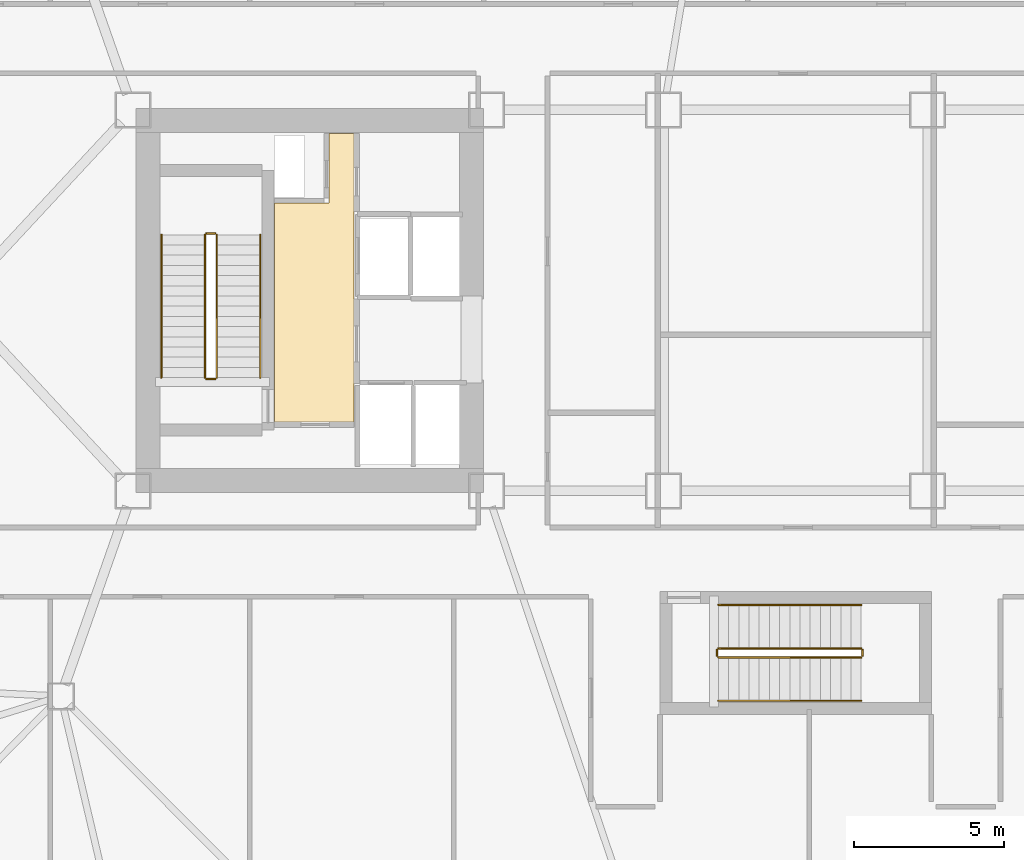
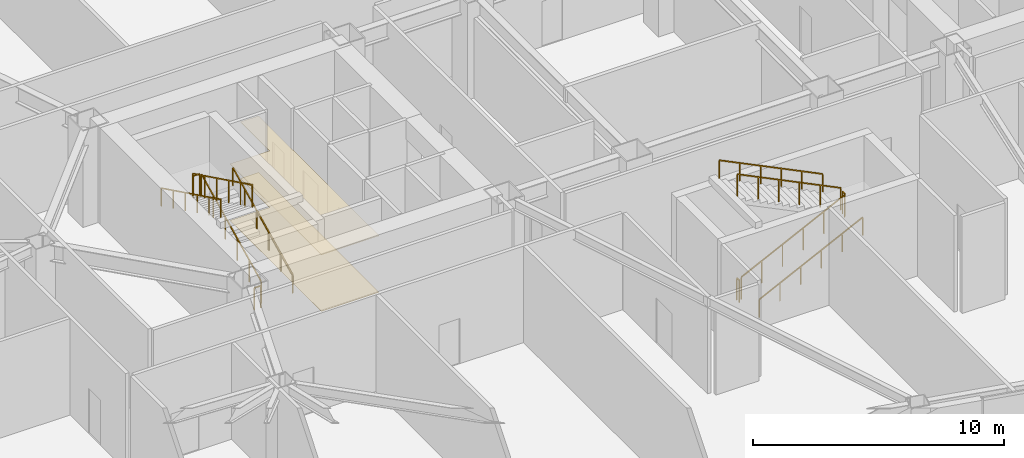
# One storey, part 19 of 20: 12 railings, 2 coverings.
"""IFC4 building model written with IfcOpenShell, lengths in metres."""

from ifc_helpers import new_model, si_unit, direction, frame, origin, origin_2d, place, context, subcontext, project, spatial, polyline, rectangle, outline, extrude, material, layer, layer_set, type_object, element, save


model = new_model("IFC4")

# Units and contexts
model_context = context("Model", 3, precision=1e-05, world=origin(), true_north=direction((0.0, 1.0)))
body_context = subcontext(model_context, "Body", "Model", "MODEL_VIEW")
ifc_project = project(units=[si_unit("LENGTHUNIT", "METRE"), si_unit("AREAUNIT", "SQUARE_METRE"), si_unit("VOLUMEUNIT", "CUBIC_METRE"), si_unit("PLANEANGLEUNIT", "RADIAN"), si_unit("MASSUNIT", "GRAM", prefix="KILO")], contexts=[model_context])

# Site, building, storey
site_placement = place(None, origin())
site = spatial("IfcSite", under=ifc_project, at=site_placement, CompositionType="ELEMENT")
building_placement = place(site_placement, origin())
building = spatial("IfcBuilding", under=site, at=building_placement, Name="Tavrogorsk Clinical Tower", CompositionType="ELEMENT")
storey_placement = place(building_placement, frame((0.0, 0.0, 23.39990234375)))
storey = spatial("IfcBuildingStorey", under=building, at=storey_placement, Name="L04", CompositionType="ELEMENT", Elevation=23.39990234375)

# Coverings
ifc_material_1 = material(Name="Antibacterial micro-perforated aluminium ceiling", Category="aluminium")
ifc_layer_1 = layer(ifc_material_1, 0.014892578125)
ifc_layer_set_1 = layer_set([ifc_layer_1], Name="Antibacterial micro-perforated aluminium ceiling")
covering_type_1 = type_object("IfcCoveringType", Name="ClinicalCeiling_15", PredefinedType="CEILING", material=ifc_layer_set_1)
covering_1_placement = place(storey_placement, frame((0.0, 0.0, 2.75)))
element("IfcCovering", 1, at=covering_1_placement, inside=storey, type_object=covering_type_1, Name="Core West Firefighting Lift Lobby Acoustic Ceiling", PredefinedType="CEILING", context=body_context, shape_type="SweptSolid", body=[
    extrude(outline(polyline([(-14.719970703125, 5.56005859375), (-14.719970703125, -4.06005859375), (-17.3798828125, -4.06005859375), (-17.3798828125, 3.239990234375), (-15.56005859375, 3.239990234375), (-15.56005859375, 5.56005859375), (-14.719970703125, 5.56005859375)])), origin(), (0.0, 0.0, 1.0), 0.01513671875),
])
ifc_material_2 = material(Name="Homogeneous medical conductive PVC flooring")
ifc_layer_2 = layer(ifc_material_2, 0.008056640625)
ifc_layer_set_2 = layer_set([ifc_layer_2], Name="Homogeneous medical conductive PVC flooring")
covering_type_2 = type_object("IfcCoveringType", Name="ResilientVinylFloor_8", PredefinedType="FLOORING", material=ifc_layer_set_2)
covering_2_placement = place(storey_placement, origin())
element("IfcCovering", 2, at=covering_2_placement, inside=storey, type_object=covering_type_2, Name="Core West Firefighting Lift Lobby Conductive Vinyl Flooring", PredefinedType="FLOORING", context=body_context, shape_type="SweptSolid", body=[
    extrude(outline(polyline([(-14.719970703125, 5.56005859375), (-14.719970703125, -4.06005859375), (-17.3798828125, -4.06005859375), (-17.3798828125, 3.239990234375), (-15.56005859375, 3.239990234375), (-15.56005859375, 5.56005859375), (-14.719970703125, 5.56005859375)])), origin(), (0.0, 0.0, 1.0), 0.008056640625),
])

# Railings
ifc_material_3 = material(Name="Galvanised steel S355 safety stairwell guard", Category="steel")
ifc_layer_3 = layer(ifc_material_3, 0.06005859375)
ifc_layer_set_3 = layer_set([ifc_layer_3], Name="Galvanised steel S355 safety stairwell guard")
railing_type_1 = type_object("IfcRailingType", Name="StairGuard_1150", PredefinedType="GUARDRAIL", material=ifc_layer_set_3)
railing_1_placement = place(storey_placement, frame((-19.300048828125, -2.574951171875, 0.166748046875)))
element("IfcRailing", 3, at=railing_1_placement, inside=storey, type_object=railing_type_1, Name="L04 ST-W stair guard 1", PredefinedType="GUARDRAIL", context=body_context, shape_type="SweptSolid", body=[
    extrude(rectangle(XDim=0.048095703125, YDim=0.048095703125, at=origin_2d()), frame((0.0, 0.0, 1.076171875), z_axis=(0.0, 0.897927146867, 0.440144111535), x_axis=(-1.0, 0.0, 0.0)), (0.0, 0.0, 1.0), 5.301025390625),
    extrude(rectangle(XDim=0.0419921875, YDim=0.0419921875, at=origin_2d()), origin(), (0.0, 0.0, 1.0), 1.052001953125),
    extrude(rectangle(XDim=0.0419921875, YDim=0.0419921875, at=origin_2d()), frame((0.0, 0.951904296875, 0.466552734375)), (0.0, 0.0, 1.0), 1.052001953125),
    extrude(rectangle(XDim=0.0419921875, YDim=0.0419921875, at=origin_2d()), frame((0.0, 1.904052734375, 0.933349609375)), (0.0, 0.0, 1.0), 1.052001953125),
    extrude(rectangle(XDim=0.0419921875, YDim=0.0419921875, at=origin_2d()), frame((0.0, 2.85595703125, 1.39990234375)), (0.0, 0.0, 1.0), 1.052001953125),
    extrude(rectangle(XDim=0.0419921875, YDim=0.0419921875, at=origin_2d()), frame((0.0, 3.80810546875, 1.86669921875)), (0.0, 0.0, 1.0), 1.052001953125),
    extrude(rectangle(XDim=0.0419921875, YDim=0.0419921875, at=origin_2d()), frame((0.0, 4.760009765625, 2.333251953125)), (0.0, 0.0, 1.0), 1.052001953125),
])
railing_2_placement = place(storey_placement, frame((-19.35009765625, 2.235107421875, 2.5)))
element("IfcRailing", 4, at=railing_2_placement, inside=storey, type_object=railing_type_1, Name="L04 ST-W stair guard 2", PredefinedType="GUARDRAIL", context=body_context, shape_type="SweptSolid", body=[
    extrude(rectangle(XDim=0.048095703125, YDim=0.048095703125, at=origin_2d()), frame((0.0, 0.0, 1.076171875), z_axis=(-1.0, 0.0, 0.0), x_axis=(0.0, -1.0, 0.0)), (0.0, 0.0, 1.0), 0.2998046875),
    extrude(rectangle(XDim=0.0419921875, YDim=0.0419921875, at=origin_2d()), origin(), (0.0, 0.0, 1.0), 1.052001953125),
    extrude(rectangle(XDim=0.0419921875, YDim=0.0419921875, at=origin_2d()), frame((-0.2998046875, 0.0, 0.0)), (0.0, 0.0, 1.0), 1.052001953125),
])
railing_3_placement = place(storey_placement, frame((-19.699951171875, 2.18505859375, 2.666748046875)))
element("IfcRailing", 5, at=railing_3_placement, inside=storey, type_object=railing_type_1, Name="L04 ST-W stair guard 3", PredefinedType="GUARDRAIL", context=body_context, shape_type="SweptSolid", body=[
    extrude(rectangle(XDim=0.048095703125, YDim=0.048095703125, at=origin_2d()), frame((0.0, 0.0, 1.076171875), z_axis=(0.0, -0.897927146867, 0.440144111535), x_axis=(1.0, 0.0, 0.0)), (0.0, 0.0, 1.0), 5.301025390625),
    extrude(rectangle(XDim=0.0419921875, YDim=0.0419921875, at=origin_2d()), origin(), (0.0, 0.0, 1.0), 1.052001953125),
    extrude(rectangle(XDim=0.0419921875, YDim=0.0419921875, at=origin_2d()), frame((0.0, -0.951904296875, 0.466552734375)), (0.0, 0.0, 1.0), 1.052001953125),
    extrude(rectangle(XDim=0.0419921875, YDim=0.0419921875, at=origin_2d()), frame((0.0, -1.904052734375, 0.933349609375)), (0.0, 0.0, 1.0), 1.052001953125),
    extrude(rectangle(XDim=0.0419921875, YDim=0.0419921875, at=origin_2d()), frame((0.0, -2.85595703125, 1.39990234375)), (0.0, 0.0, 1.0), 1.052001953125),
    extrude(rectangle(XDim=0.0419921875, YDim=0.0419921875, at=origin_2d()), frame((0.0, -3.80810546875, 1.86669921875)), (0.0, 0.0, 1.0), 1.052001953125),
    extrude(rectangle(XDim=0.0419921875, YDim=0.0419921875, at=origin_2d()), frame((0.0, -4.760009765625, 2.333251953125)), (0.0, 0.0, 1.0), 1.052001953125),
])
railing_4_placement = place(storey_placement, frame((-19.35009765625, -2.625, 0.0)))
element("IfcRailing", 6, at=railing_4_placement, inside=storey, type_object=railing_type_1, Name="L04 ST-W stair guard 4", PredefinedType="GUARDRAIL", context=body_context, shape_type="SweptSolid", body=[
    extrude(rectangle(XDim=0.048095703125, YDim=0.048095703125, at=origin_2d()), frame((0.0, 0.0, 1.076171875), z_axis=(-1.0, 0.0, 0.0), x_axis=(0.0, -1.0, 0.0)), (0.0, 0.0, 1.0), 0.2998046875),
    extrude(rectangle(XDim=0.0419921875, YDim=0.0419921875, at=origin_2d()), origin(), (0.0, 0.0, 1.0), 1.052001953125),
    extrude(rectangle(XDim=0.0419921875, YDim=0.0419921875, at=origin_2d()), frame((-0.2998046875, 0.0, 0.0)), (0.0, 0.0, 1.0), 1.052001953125),
])
railing_5_placement = place(storey_placement, frame((-2.574951171875, -11.89990234375, 0.166748046875)))
element("IfcRailing", 7, at=railing_5_placement, inside=storey, type_object=railing_type_1, Name="L04 ST-P stair guard 1", PredefinedType="GUARDRAIL", context=body_context, shape_type="SweptSolid", body=[
    extrude(rectangle(XDim=0.048095703125, YDim=0.048095703125, at=origin_2d()), frame((0.0, 0.0, 1.076171875), z_axis=(0.897927146867, 0.0, 0.440144111535), x_axis=(0.0, 1.0, 0.0)), (0.0, 0.0, 1.0), 5.301025390625),
    extrude(rectangle(XDim=0.0419921875, YDim=0.0419921875, at=origin_2d()), origin(), (0.0, 0.0, 1.0), 1.052001953125),
    extrude(rectangle(XDim=0.0419921875, YDim=0.0419921875, at=origin_2d()), frame((0.951904296875, 0.0, 0.466552734375)), (0.0, 0.0, 1.0), 1.052001953125),
    extrude(rectangle(XDim=0.0419921875, YDim=0.0419921875, at=origin_2d()), frame((1.904052734375, 0.0, 0.933349609375)), (0.0, 0.0, 1.0), 1.052001953125),
    extrude(rectangle(XDim=0.0419921875, YDim=0.0419921875, at=origin_2d()), frame((2.85595703125, 0.0, 1.39990234375)), (0.0, 0.0, 1.0), 1.052001953125),
    extrude(rectangle(XDim=0.0419921875, YDim=0.0419921875, at=origin_2d()), frame((3.80810546875, 0.0, 1.86669921875)), (0.0, 0.0, 1.0), 1.052001953125),
    extrude(rectangle(XDim=0.0419921875, YDim=0.0419921875, at=origin_2d()), frame((4.760009765625, 0.0, 2.333251953125)), (0.0, 0.0, 1.0), 1.052001953125),
])
railing_6_placement = place(storey_placement, frame((2.235107421875, -11.85009765625, 2.5)))
element("IfcRailing", 8, at=railing_6_placement, inside=storey, type_object=railing_type_1, Name="L04 ST-P stair guard 2", PredefinedType="GUARDRAIL", context=body_context, shape_type="SweptSolid", body=[
    extrude(rectangle(XDim=0.048095703125, YDim=0.048095703125, at=origin_2d()), frame((0.0, 0.0, 1.076171875), z_axis=(0.0, 1.0, 0.0), x_axis=(-1.0, 0.0, 0.0)), (0.0, 0.0, 1.0), 0.2001953125),
    extrude(rectangle(XDim=0.0419921875, YDim=0.0419921875, at=origin_2d()), origin(), (0.0, 0.0, 1.0), 1.052001953125),
    extrude(rectangle(XDim=0.0419921875, YDim=0.0419921875, at=origin_2d()), frame((0.0, 0.2001953125, 0.0)), (0.0, 0.0, 1.0), 1.052001953125),
])
railing_7_placement = place(storey_placement, frame((2.18505859375, -11.60009765625, 2.666748046875)))
element("IfcRailing", 9, at=railing_7_placement, inside=storey, type_object=railing_type_1, Name="L04 ST-P stair guard 3", PredefinedType="GUARDRAIL", context=body_context, shape_type="SweptSolid", body=[
    extrude(rectangle(XDim=0.048095703125, YDim=0.048095703125, at=origin_2d()), frame((0.0, 0.0, 1.076171875), z_axis=(-0.897927146867, 0.0, 0.440144111535), x_axis=(0.0, -1.0, 0.0)), (0.0, 0.0, 1.0), 5.301025390625),
    extrude(rectangle(XDim=0.0419921875, YDim=0.0419921875, at=origin_2d()), origin(), (0.0, 0.0, 1.0), 1.052001953125),
    extrude(rectangle(XDim=0.0419921875, YDim=0.0419921875, at=origin_2d()), frame((-0.951904296875, 0.0, 0.466552734375)), (0.0, 0.0, 1.0), 1.052001953125),
    extrude(rectangle(XDim=0.0419921875, YDim=0.0419921875, at=origin_2d()), frame((-1.904052734375, 0.0, 0.933349609375)), (0.0, 0.0, 1.0), 1.052001953125),
    extrude(rectangle(XDim=0.0419921875, YDim=0.0419921875, at=origin_2d()), frame((-2.85595703125, 0.0, 1.39990234375)), (0.0, 0.0, 1.0), 1.052001953125),
    extrude(rectangle(XDim=0.0419921875, YDim=0.0419921875, at=origin_2d()), frame((-3.80810546875, 0.0, 1.86669921875)), (0.0, 0.0, 1.0), 1.052001953125),
    extrude(rectangle(XDim=0.0419921875, YDim=0.0419921875, at=origin_2d()), frame((-4.760009765625, 0.0, 2.333251953125)), (0.0, 0.0, 1.0), 1.052001953125),
])
railing_8_placement = place(storey_placement, frame((-2.625, -11.85009765625, 0.0)))
element("IfcRailing", 10, at=railing_8_placement, inside=storey, type_object=railing_type_1, Name="L04 ST-P stair guard 4", PredefinedType="GUARDRAIL", context=body_context, shape_type="SweptSolid", body=[
    extrude(rectangle(XDim=0.048095703125, YDim=0.048095703125, at=origin_2d()), frame((0.0, 0.0, 1.076171875), z_axis=(0.0, 1.0, 0.0), x_axis=(-1.0, 0.0, 0.0)), (0.0, 0.0, 1.0), 0.2001953125),
    extrude(rectangle(XDim=0.0419921875, YDim=0.0419921875, at=origin_2d()), origin(), (0.0, 0.0, 1.0), 1.052001953125),
    extrude(rectangle(XDim=0.0419921875, YDim=0.0419921875, at=origin_2d()), frame((0.0, 0.2001953125, 0.0)), (0.0, 0.0, 1.0), 1.052001953125),
])
ifc_material_4 = material(Name="Stainless steel AISI 304 tubular handrail", Category="steel")
ifc_layer_4 = layer(ifc_material_4, 0.050048828125)
ifc_layer_set_4 = layer_set([ifc_layer_4], Name="Stainless steel AISI 304 tubular handrail")
railing_type_2 = type_object("IfcRailingType", Name="StairHandrail_920", PredefinedType="HANDRAIL", material=ifc_layer_set_4)
railing_9_placement = place(storey_placement, frame((-17.85009765625, -2.574951171875, 0.166748046875)))
element("IfcRailing", 11, at=railing_9_placement, inside=storey, type_object=railing_type_2, Name="L04 ST-W stair handrail 1", PredefinedType="HANDRAIL", context=body_context, shape_type="SweptSolid", body=[
    extrude(rectangle(XDim=0.048095703125, YDim=0.048095703125, at=origin_2d()), frame((0.0, 0.0, 0.8759765625), z_axis=(0.0, 0.897927146867, 0.440144111535), x_axis=(-1.0, 0.0, 0.0)), (0.0, 0.0, 1.0), 5.301025390625),
    extrude(rectangle(XDim=0.0419921875, YDim=0.0419921875, at=origin_2d()), origin(), (0.0, 0.0, 1.0), 0.851806640625),
    extrude(rectangle(XDim=0.0419921875, YDim=0.0419921875, at=origin_2d()), frame((0.0, 0.951904296875, 0.466552734375)), (0.0, 0.0, 1.0), 0.851806640625),
    extrude(rectangle(XDim=0.0419921875, YDim=0.0419921875, at=origin_2d()), frame((0.0, 1.904052734375, 0.933349609375)), (0.0, 0.0, 1.0), 0.851806640625),
    extrude(rectangle(XDim=0.0419921875, YDim=0.0419921875, at=origin_2d()), frame((0.0, 2.85595703125, 1.39990234375)), (0.0, 0.0, 1.0), 0.851806640625),
    extrude(rectangle(XDim=0.0419921875, YDim=0.0419921875, at=origin_2d()), frame((0.0, 3.80810546875, 1.86669921875)), (0.0, 0.0, 1.0), 0.851806640625),
    extrude(rectangle(XDim=0.0419921875, YDim=0.0419921875, at=origin_2d()), frame((0.0, 4.760009765625, 2.333251953125)), (0.0, 0.0, 1.0), 0.851806640625),
])
railing_10_placement = place(storey_placement, frame((-21.14990234375, 2.18505859375, 2.666748046875)))
element("IfcRailing", 12, at=railing_10_placement, inside=storey, type_object=railing_type_2, Name="L04 ST-W stair handrail 2", PredefinedType="HANDRAIL", context=body_context, shape_type="SweptSolid", body=[
    extrude(rectangle(XDim=0.048095703125, YDim=0.048095703125, at=origin_2d()), frame((0.0, 0.0, 0.8759765625), z_axis=(0.0, -0.897927146867, 0.440144111535), x_axis=(1.0, 0.0, 0.0)), (0.0, 0.0, 1.0), 5.301025390625),
    extrude(rectangle(XDim=0.0419921875, YDim=0.0419921875, at=origin_2d()), origin(), (0.0, 0.0, 1.0), 0.851806640625),
    extrude(rectangle(XDim=0.0419921875, YDim=0.0419921875, at=origin_2d()), frame((0.0, -0.951904296875, 0.466552734375)), (0.0, 0.0, 1.0), 0.851806640625),
    extrude(rectangle(XDim=0.0419921875, YDim=0.0419921875, at=origin_2d()), frame((0.0, -1.904052734375, 0.933349609375)), (0.0, 0.0, 1.0), 0.851806640625),
    extrude(rectangle(XDim=0.0419921875, YDim=0.0419921875, at=origin_2d()), frame((0.0, -2.85595703125, 1.39990234375)), (0.0, 0.0, 1.0), 0.851806640625),
    extrude(rectangle(XDim=0.0419921875, YDim=0.0419921875, at=origin_2d()), frame((0.0, -3.80810546875, 1.86669921875)), (0.0, 0.0, 1.0), 0.851806640625),
    extrude(rectangle(XDim=0.0419921875, YDim=0.0419921875, at=origin_2d()), frame((0.0, -4.760009765625, 2.333251953125)), (0.0, 0.0, 1.0), 0.851806640625),
])
railing_11_placement = place(storey_placement, frame((-2.574951171875, -13.35009765625, 0.166748046875)))
element("IfcRailing", 13, at=railing_11_placement, inside=storey, type_object=railing_type_2, Name="L04 ST-P stair handrail 1", PredefinedType="HANDRAIL", context=body_context, shape_type="SweptSolid", body=[
    extrude(rectangle(XDim=0.048095703125, YDim=0.048095703125, at=origin_2d()), frame((0.0, 0.0, 0.8759765625), z_axis=(0.897927146867, 0.0, 0.440144111535), x_axis=(0.0, 1.0, 0.0)), (0.0, 0.0, 1.0), 5.301025390625),
    extrude(rectangle(XDim=0.0419921875, YDim=0.0419921875, at=origin_2d()), origin(), (0.0, 0.0, 1.0), 0.851806640625),
    extrude(rectangle(XDim=0.0419921875, YDim=0.0419921875, at=origin_2d()), frame((0.951904296875, 0.0, 0.466552734375)), (0.0, 0.0, 1.0), 0.851806640625),
    extrude(rectangle(XDim=0.0419921875, YDim=0.0419921875, at=origin_2d()), frame((1.904052734375, 0.0, 0.933349609375)), (0.0, 0.0, 1.0), 0.851806640625),
    extrude(rectangle(XDim=0.0419921875, YDim=0.0419921875, at=origin_2d()), frame((2.85595703125, 0.0, 1.39990234375)), (0.0, 0.0, 1.0), 0.851806640625),
    extrude(rectangle(XDim=0.0419921875, YDim=0.0419921875, at=origin_2d()), frame((3.80810546875, 0.0, 1.86669921875)), (0.0, 0.0, 1.0), 0.851806640625),
    extrude(rectangle(XDim=0.0419921875, YDim=0.0419921875, at=origin_2d()), frame((4.760009765625, 0.0, 2.333251953125)), (0.0, 0.0, 1.0), 0.851806640625),
])
railing_12_placement = place(storey_placement, frame((2.18505859375, -10.14990234375, 2.666748046875)))
element("IfcRailing", 14, at=railing_12_placement, inside=storey, type_object=railing_type_2, Name="L04 ST-P stair handrail 2", PredefinedType="HANDRAIL", context=body_context, shape_type="SweptSolid", body=[
    extrude(rectangle(XDim=0.048095703125, YDim=0.048095703125, at=origin_2d()), frame((0.0, 0.0, 0.8759765625), z_axis=(-0.897927146867, 0.0, 0.440144111535), x_axis=(0.0, -1.0, 0.0)), (0.0, 0.0, 1.0), 5.301025390625),
    extrude(rectangle(XDim=0.0419921875, YDim=0.0419921875, at=origin_2d()), origin(), (0.0, 0.0, 1.0), 0.851806640625),
    extrude(rectangle(XDim=0.0419921875, YDim=0.0419921875, at=origin_2d()), frame((-0.951904296875, 0.0, 0.466552734375)), (0.0, 0.0, 1.0), 0.851806640625),
    extrude(rectangle(XDim=0.0419921875, YDim=0.0419921875, at=origin_2d()), frame((-1.904052734375, 0.0, 0.933349609375)), (0.0, 0.0, 1.0), 0.851806640625),
    extrude(rectangle(XDim=0.0419921875, YDim=0.0419921875, at=origin_2d()), frame((-2.85595703125, 0.0, 1.39990234375)), (0.0, 0.0, 1.0), 0.851806640625),
    extrude(rectangle(XDim=0.0419921875, YDim=0.0419921875, at=origin_2d()), frame((-3.80810546875, 0.0, 1.86669921875)), (0.0, 0.0, 1.0), 0.851806640625),
    extrude(rectangle(XDim=0.0419921875, YDim=0.0419921875, at=origin_2d()), frame((-4.760009765625, 0.0, 2.333251953125)), (0.0, 0.0, 1.0), 0.851806640625),
])

save(model, "model.ifc")
